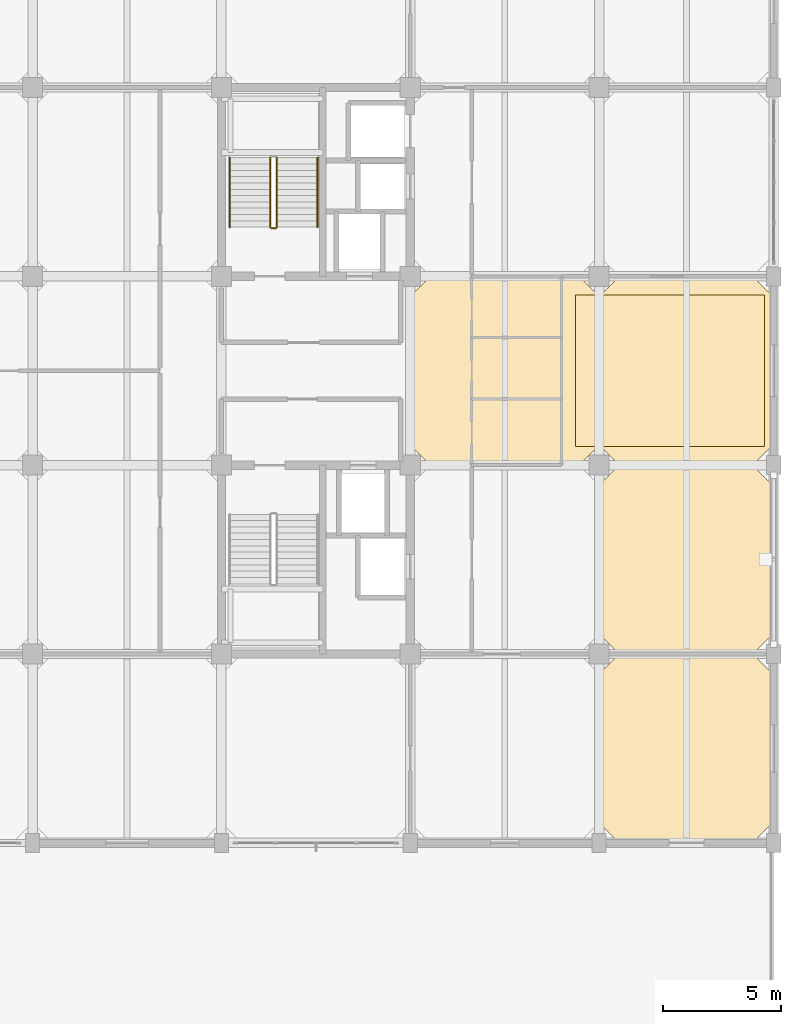
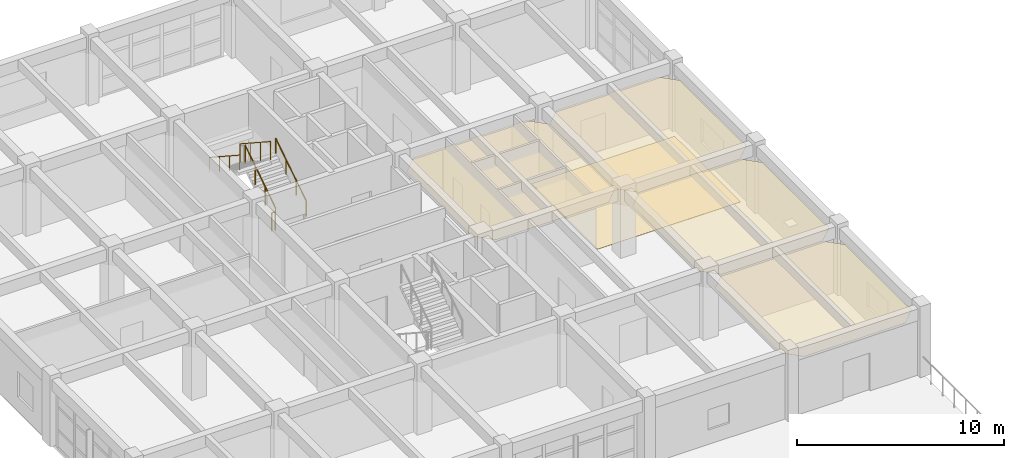
# One storey, part 28 of 30: 5 coverings, 5 railings.
"""IFC4 building model written with IfcOpenShell, lengths in metres."""

from ifc_helpers import new_model, si_unit, direction, frame, origin, origin_2d, place, context, subcontext, project, spatial, polyline, circle, outline, extrude, material, layer, layer_set, type_object, element, save


model = new_model("IFC4")

# Units and contexts
model_context = context("Model", 3, precision=1e-05, world=origin(), true_north=direction((0.0, 1.0)))
body_context = subcontext(model_context, "Body", "Model", "MODEL_VIEW")
ifc_project = project(units=[si_unit("LENGTHUNIT", "METRE"), si_unit("AREAUNIT", "SQUARE_METRE"), si_unit("VOLUMEUNIT", "CUBIC_METRE"), si_unit("PLANEANGLEUNIT", "RADIAN"), si_unit("MASSUNIT", "GRAM", prefix="KILO")], contexts=[model_context])

# Site, building, storey
site_placement = place(None, origin())
site = spatial("IfcSite", under=ifc_project, at=site_placement, CompositionType="ELEMENT")
building_placement = place(site_placement, origin())
building = spatial("IfcBuilding", under=site, at=building_placement, Name="Canggui Botanical Conservatory", CompositionType="ELEMENT")
storey_placement = place(building_placement, frame((0.0, 0.0, 27.60009765625)))
storey = spatial("IfcBuildingStorey", under=building, at=storey_placement, Name="L07", CompositionType="ELEMENT", Elevation=27.60009765625)

# Coverings
ifc_material_1 = material(Name="Mineral Fibre Acoustic Board")
ifc_layer_1 = layer(ifc_material_1, 0.014892578125, Name="Mineral Fibre Acoustic Board")
ifc_layer_set_1 = layer_set([ifc_layer_1], Name="Mineral Fibre Acoustic Board")
covering_type_1 = type_object("IfcCoveringType", Name="COV-CEIL-15", PredefinedType="CEILING", material=ifc_layer_set_1)
covering_1_placement = place(storey_placement, frame((0.0, 0.0, 3.19482421875)))
element("IfcCovering", 1, at=covering_1_placement, inside=storey, type_object=covering_type_1, Name="Suspended Acoustic Ceiling L07-170-34", PredefinedType="CEILING", context=body_context, shape_type="SweptSolid", body=[
    extrude(outline(polyline([(170.85009765625, 34.0), (176.5, 34.0), (177.35009765625, 34.85009765625), (177.35009765625, 41.14990234375), (176.5, 42.0), (170.85009765625, 42.0), (170.0, 41.14990234375), (170.0, 34.85009765625), (170.85009765625, 34.0)])), origin(), (0.0, 0.0, 1.0), 0.01513671875),
])
covering_2_placement = place(storey_placement, frame((0.0, 0.0, 3.19482421875)))
element("IfcCovering", 2, at=covering_2_placement, inside=storey, type_object=covering_type_1, Name="Suspended Acoustic Ceiling L07-170-50", PredefinedType="CEILING", context=body_context, shape_type="SweptSolid", body=[
    extrude(outline(polyline([(170.85009765625, 50.0), (176.5, 50.0), (177.35009765625, 50.85009765625), (177.35009765625, 57.14990234375), (176.5, 58.0), (170.85009765625, 58.0), (170.0, 57.14990234375), (170.0, 50.85009765625), (170.85009765625, 50.0)])), origin(), (0.0, 0.0, 1.0), 0.01513671875),
])
ifc_material_2 = material(Name="Perforated Gypsum Acoustic Panel")
ifc_layer_2 = layer(ifc_material_2, 0.02001953125, Name="Perforated Gypsum Acoustic Panel")
ifc_layer_set_2 = layer_set([ifc_layer_2], Name="Perforated Gypsum Acoustic Panel")
covering_type_2 = type_object("IfcCoveringType", Name="COV-CEIL-20", PredefinedType="CEILING", material=ifc_layer_set_2)
covering_3_placement = place(storey_placement, frame((0.0, 0.0, 3.18994140625)))
element("IfcCovering", 3, at=covering_3_placement, inside=storey, type_object=covering_type_2, Name="Suspended Acoustic Ceiling L07-162-50", PredefinedType="CEILING", context=body_context, shape_type="SweptSolid", body=[
    extrude(outline(polyline([(162.85009765625, 50.0), (169.14990234375, 50.0), (170.0, 50.85009765625), (170.0, 57.14990234375), (169.14990234375, 58.0), (162.85009765625, 58.0), (162.0, 57.14990234375), (162.0, 50.85009765625), (162.85009765625, 50.0)])), origin(), (0.0, 0.0, 1.0), 0.02001953125),
])
covering_4_placement = place(storey_placement, frame((0.0, 0.0, 3.18994140625)))
element("IfcCovering", 4, at=covering_4_placement, inside=storey, type_object=covering_type_2, Name="Suspended Acoustic Ceiling L07-170-42", PredefinedType="CEILING", context=body_context, shape_type="SweptSolid", body=[
    extrude(outline(polyline([(170.85009765625, 42.0), (176.5, 42.0), (177.35009765625, 42.85009765625), (177.35009765625, 49.14990234375), (176.5, 50.0), (170.85009765625, 50.0), (170.0, 49.14990234375), (170.0, 42.85009765625), (170.85009765625, 42.0)])), origin(), (0.0, 0.0, 1.0), 0.02001953125),
])
ifc_material_3 = material(Name="Seamless Laboratory Epoxy Resin")
ifc_layer_3 = layer(ifc_material_3, 0.011962890625, Name="Seamless Laboratory Epoxy Resin")
ifc_layer_set_3 = layer_set([ifc_layer_3], Name="Seamless Laboratory Epoxy Resin")
covering_type_3 = type_object("IfcCoveringType", Name="COV-FLR-12", PredefinedType="FLOORING", material=ifc_layer_set_3)
covering_5_placement = place(storey_placement, origin())
element("IfcCovering", 5, at=covering_5_placement, inside=storey, type_object=covering_type_3, Name="Laboratory Finish Flooring L07", PredefinedType="FLOORING", context=body_context, shape_type="SweptSolid", body=[
    extrude(outline(polyline([(169.0, 50.800048828125), (177.0, 50.800048828125), (177.0, 57.199951171875), (169.0, 57.199951171875), (169.0, 50.800048828125)])), origin(), (0.0, 0.0, 1.0), 0.011962890625),
])

# Railings
ifc_material_4 = material(Name="Stainless Steel 304", Category="steel")
railing_type_1 = type_object("IfcRailingType", Name="RAIL-GUARD-1100", PredefinedType="BALUSTRADE", material=ifc_material_4)
railing_1_placement = place(storey_placement, frame((156.35009765625, 60.080078125, 0.1748046875)))
element("IfcRailing", 6, at=railing_1_placement, inside=storey, type_object=railing_type_1, Name="L07 ST-T2 stair guard 1", PredefinedType="BALUSTRADE", context=body_context, shape_type="SweptSolid", body=[
    extrude(circle(Radius=0.02392578125, at=origin_2d()), frame((0.0, 0.0, 1.076171875), z_axis=(0.0, 0.837293178872, 0.54675417933), x_axis=(-1.0, 0.0, 0.0)), (0.0, 0.0, 1.0), 3.520751953125),
    extrude(circle(Radius=0.02099609375, at=origin_2d()), origin(), (0.0, 0.0, 1.0), 1.052001953125),
    extrude(circle(Radius=0.02099609375, at=origin_2d()), frame((0.0, 0.982666015625, 0.6416015625)), (0.0, 0.0, 1.0), 1.052001953125),
    extrude(circle(Radius=0.02099609375, at=origin_2d()), frame((0.0, 1.96533203125, 1.283447265625)), (0.0, 0.0, 1.0), 1.052001953125),
    extrude(circle(Radius=0.02099609375, at=origin_2d()), frame((0.0, 2.947998046875, 1.925048828125)), (0.0, 0.0, 1.0), 1.052001953125),
])
railing_2_placement = place(storey_placement, frame((156.070068359375, 63.028076171875, 2.27490234375)))
element("IfcRailing", 7, at=railing_2_placement, inside=storey, type_object=railing_type_1, Name="L07 ST-T2 stair guard 3", PredefinedType="BALUSTRADE", context=body_context, shape_type="SweptSolid", body=[
    extrude(circle(Radius=0.02392578125, at=origin_2d()), frame((0.0, 0.0, 1.076171875), z_axis=(0.0, -0.837293178872, 0.54675417933), x_axis=(1.0, 0.0, 0.0)), (0.0, 0.0, 1.0), 3.520751953125),
    extrude(circle(Radius=0.02099609375, at=origin_2d()), origin(), (0.0, 0.0, 1.0), 1.052001953125),
    extrude(circle(Radius=0.02099609375, at=origin_2d()), frame((0.0, -0.982666015625, 0.6416015625)), (0.0, 0.0, 1.0), 1.052001953125),
    extrude(circle(Radius=0.02099609375, at=origin_2d()), frame((0.0, -1.96533203125, 1.283447265625)), (0.0, 0.0, 1.0), 1.052001953125),
    extrude(circle(Radius=0.02099609375, at=origin_2d()), frame((0.0, -2.947998046875, 1.925048828125)), (0.0, 0.0, 1.0), 1.052001953125),
])
railing_3_placement = place(storey_placement, frame((156.300048828125, 60.030029296875, 0.0)))
element("IfcRailing", 8, at=railing_3_placement, inside=storey, type_object=railing_type_1, Name="L07 ST-T2 stair guard 4", PredefinedType="BALUSTRADE", context=body_context, shape_type="SweptSolid", body=[
    extrude(circle(Radius=0.02392578125, at=origin_2d()), frame((0.0, 0.0, 1.076171875), z_axis=(-1.0, 0.0, 0.0), x_axis=(0.0, -1.0, 0.0)), (0.0, 0.0, 1.0), 0.179931640625),
    extrude(circle(Radius=0.02099609375, at=origin_2d()), origin(), (0.0, 0.0, 1.0), 1.052001953125),
    extrude(circle(Radius=0.02099609375, at=origin_2d()), frame((-0.179931640625, 0.0, 0.0)), (0.0, 0.0, 1.0), 1.052001953125),
])
railing_type_2 = type_object("IfcRailingType", Name="RAIL-HAND-900", PredefinedType="HANDRAIL", material=ifc_material_4)
railing_4_placement = place(storey_placement, frame((158.070068359375, 60.080078125, 0.1748046875)))
element("IfcRailing", 9, at=railing_4_placement, inside=storey, type_object=railing_type_2, Name="L07 ST-T2 stair handrail 1", PredefinedType="HANDRAIL", context=body_context, shape_type="SweptSolid", body=[
    extrude(circle(Radius=0.02392578125, at=origin_2d()), frame((0.0, 0.0, 0.8759765625), z_axis=(0.0, 0.837293178872, 0.54675417933), x_axis=(-1.0, 0.0, 0.0)), (0.0, 0.0, 1.0), 3.520751953125),
    extrude(circle(Radius=0.02099609375, at=origin_2d()), origin(), (0.0, 0.0, 1.0), 0.851806640625),
    extrude(circle(Radius=0.02099609375, at=origin_2d()), frame((0.0, 0.982666015625, 0.6416015625)), (0.0, 0.0, 1.0), 0.851806640625),
    extrude(circle(Radius=0.02099609375, at=origin_2d()), frame((0.0, 1.96533203125, 1.283447265625)), (0.0, 0.0, 1.0), 0.851806640625),
    extrude(circle(Radius=0.02099609375, at=origin_2d()), frame((0.0, 2.947998046875, 1.925048828125)), (0.0, 0.0, 1.0), 0.851806640625),
])
railing_5_placement = place(storey_placement, frame((154.35009765625, 63.028076171875, 2.27490234375)))
element("IfcRailing", 10, at=railing_5_placement, inside=storey, type_object=railing_type_2, Name="L07 ST-T2 stair handrail 2", PredefinedType="HANDRAIL", context=body_context, shape_type="SweptSolid", body=[
    extrude(circle(Radius=0.02392578125, at=origin_2d()), frame((0.0, 0.0, 0.8759765625), z_axis=(0.0, -0.837293178872, 0.54675417933), x_axis=(1.0, 0.0, 0.0)), (0.0, 0.0, 1.0), 3.520751953125),
    extrude(circle(Radius=0.02099609375, at=origin_2d()), origin(), (0.0, 0.0, 1.0), 0.851806640625),
    extrude(circle(Radius=0.02099609375, at=origin_2d()), frame((0.0, -0.982666015625, 0.6416015625)), (0.0, 0.0, 1.0), 0.851806640625),
    extrude(circle(Radius=0.02099609375, at=origin_2d()), frame((0.0, -1.96533203125, 1.283447265625)), (0.0, 0.0, 1.0), 0.851806640625),
    extrude(circle(Radius=0.02099609375, at=origin_2d()), frame((0.0, -2.947998046875, 1.925048828125)), (0.0, 0.0, 1.0), 0.851806640625),
])

save(model, "model.ifc")
